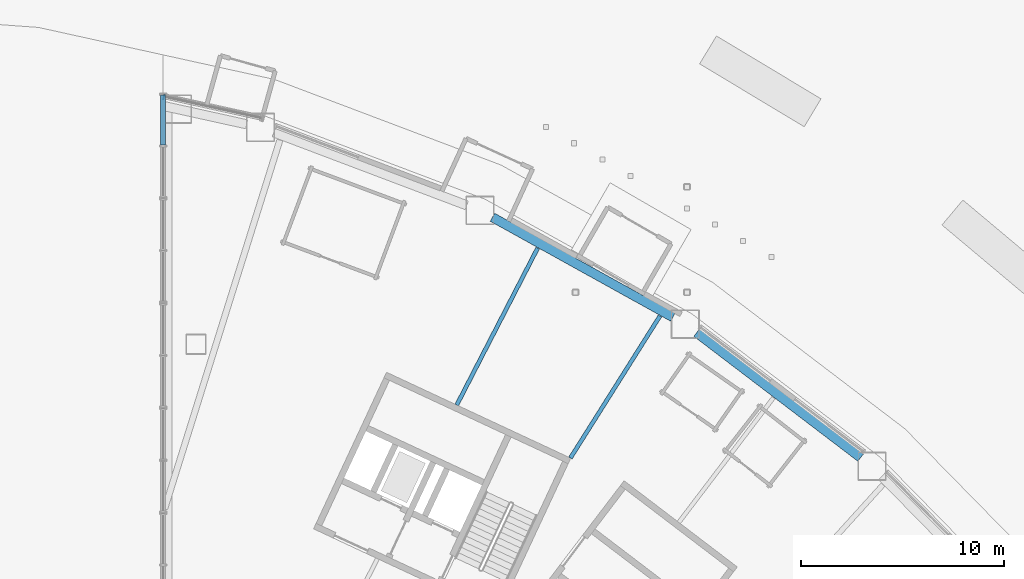
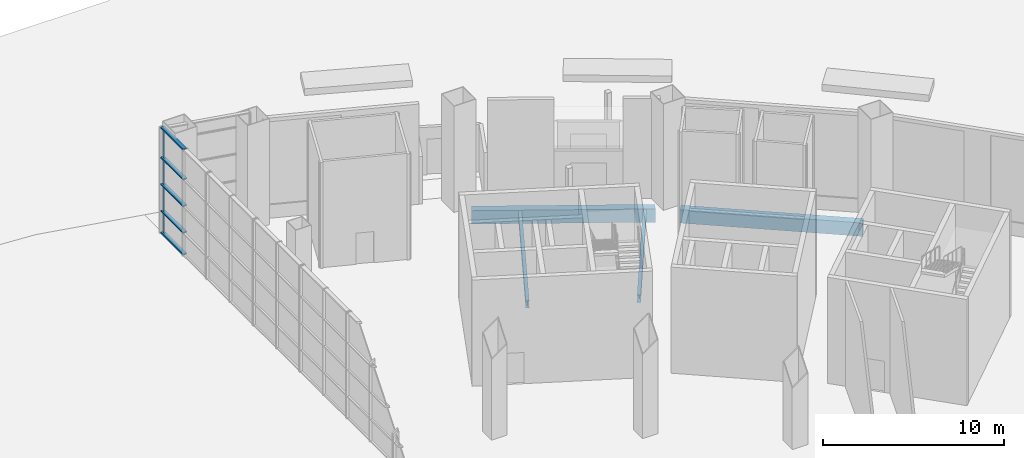
# One storey, part 24 of 45: 6 members, 4 beams, 2 elements without a shape of their own.
"""IFC4 building model written with IfcOpenShell, lengths in metres."""

from ifc_helpers import new_model, si_unit, direction, frame, origin, origin_2d, place, context, subcontext, project, spatial, rectangle, hollow_rectangle, i_section, extrude, material, layer, layer_set, material_profile, profile_set, type_object, element, aggregate, save


model = new_model("IFC4")

# Units and contexts
model_context = context("Model", 3, precision=1e-05, world=origin(), true_north=direction((0.0, 1.0)))
body_context = subcontext(model_context, "Body", "Model", "MODEL_VIEW")
ifc_project = project(units=[si_unit("LENGTHUNIT", "METRE"), si_unit("AREAUNIT", "SQUARE_METRE"), si_unit("VOLUMEUNIT", "CUBIC_METRE"), si_unit("PLANEANGLEUNIT", "RADIAN"), si_unit("MASSUNIT", "GRAM", prefix="KILO")], contexts=[model_context])

# Site, building, storey
site_placement = place(None, origin())
site = spatial("IfcSite", under=ifc_project, at=site_placement, CompositionType="ELEMENT")
building_placement = place(site_placement, origin())
building = spatial("IfcBuilding", under=site, at=building_placement, Name="Tuul Gate Civic Tower", CompositionType="ELEMENT")
storey_placement = place(building_placement, origin())
storey = spatial("IfcBuildingStorey", under=building, at=storey_placement, Name="Level 00", CompositionType="ELEMENT", Elevation=0.0)

# Curtain wall, member
ifc_material_1 = material(Name="Aluminium", Category="aluminium")
ifc_layer_1 = layer(ifc_material_1, 0.199951171875)
ifc_layer_set_1 = layer_set([ifc_layer_1], Name="Aluminium")
curtain_wall_type_1 = type_object("IfcCurtainWallType", Name="Curtain wall CW1", PredefinedType="NOTDEFINED", material=ifc_layer_set_1)
curtain_wall_1_placement = place(storey_placement, origin())
curtain_wall_1 = element("IfcCurtainWall", 1, at=curtain_wall_1_placement, inside=storey, type_object=curtain_wall_type_1, Name="Curtain wall CW1", PredefinedType="NOTDEFINED")
ifc_material_2 = material(Name="Aluminium", Category="aluminium")
ifc_material_profile_1 = material_profile(ifc_material_2, rectangle(XDim=0.300048828125, YDim=0.070068359375, at=origin_2d()), Name="CW1 mullion")
ifc_profile_set_1 = profile_set([ifc_material_profile_1], Name="Aluminium")
member_type_1 = type_object("IfcMemberType", Name="CW1 mullion", PredefinedType="MULLION", material=ifc_profile_set_1)
member_1_placement = place(storey_placement, frame((18.0341796875, 18.10400390625, 0.0), z_axis=(0.0, 0.0, 1.0), x_axis=(-0.215206763662, -0.976568507005, 0.0)))
member_1 = element("IfcMember", 2, at=member_1_placement, type_object=member_type_1, Name="Mullion", PredefinedType="MULLION", context=body_context, shape_type="SweptSolid", body=[
    extrude(rectangle(XDim=0.300048828125, YDim=0.070068359375, at=origin_2d()), origin(), (0.0, 0.0, 1.0), 7.14990234375),
])
aggregate(curtain_wall_1, [member_1])

# Curtain wall, members
ifc_material_3 = material(Name="Stainless steel", Category="steel")
ifc_layer_2 = layer(ifc_material_3, 0.199951171875)
ifc_layer_set_2 = layer_set([ifc_layer_2], Name="Stainless steel")
curtain_wall_type_2 = type_object("IfcCurtainWallType", Name="Curtain wall CW2", PredefinedType="NOTDEFINED", material=ifc_layer_set_2)
curtain_wall_2_placement = place(storey_placement, origin())
curtain_wall_2 = element("IfcCurtainWall", 3, at=curtain_wall_2_placement, inside=storey, type_object=curtain_wall_type_2, Name="Curtain wall CW2", PredefinedType="NOTDEFINED")
ifc_material_4 = material(Name="Stainless steel", Category="steel")
ifc_material_profile_2 = material_profile(ifc_material_4, hollow_rectangle(XDim=0.25, YDim=0.080078125, WallThickness=0.006103515625, at=origin_2d()), Name="CW2 transom")
ifc_profile_set_2 = profile_set([ifc_material_profile_2], Name="Stainless steel")
member_type_2 = type_object("IfcMemberType", Name="CW2 transom", PredefinedType="USERDEFINED", material=ifc_profile_set_2)
member_2_placement = place(storey_placement, frame((18.0, 15.726318359375, 0.0400390625), z_axis=(0.0, 1.0, 0.0), x_axis=(-1.0, 0.0, 0.0)))
member_2 = element("IfcMember", 4, at=member_2_placement, type_object=member_type_2, Name="Transom", ObjectType="TRANSOM", PredefinedType="USERDEFINED", context=body_context, shape_type="SweptSolid", body=[
    extrude(hollow_rectangle(XDim=0.25, YDim=0.080078125, WallThickness=0.006103515625, at=origin_2d()), origin(), (0.0, 0.0, 1.0), 2.458740234375),
])
member_3_placement = place(storey_placement, frame((18.0, 15.726318359375, 1.5), z_axis=(0.0, 1.0, 0.0), x_axis=(-1.0, 0.0, 0.0)))
member_3 = element("IfcMember", 5, at=member_3_placement, type_object=member_type_2, Name="Transom", ObjectType="TRANSOM", PredefinedType="USERDEFINED", context=body_context, shape_type="SweptSolid", body=[
    extrude(hollow_rectangle(XDim=0.25, YDim=0.080078125, WallThickness=0.006103515625, at=origin_2d()), origin(), (0.0, 0.0, 1.0), 2.458740234375),
])
member_4_placement = place(storey_placement, frame((18.0, 15.726318359375, 3.300048828125), z_axis=(0.0, 1.0, 0.0), x_axis=(-1.0, 0.0, 0.0)))
member_4 = element("IfcMember", 6, at=member_4_placement, type_object=member_type_2, Name="Transom", ObjectType="TRANSOM", PredefinedType="USERDEFINED", context=body_context, shape_type="SweptSolid", body=[
    extrude(hollow_rectangle(XDim=0.25, YDim=0.080078125, WallThickness=0.006103515625, at=origin_2d()), origin(), (0.0, 0.0, 1.0), 2.458740234375),
])
member_5_placement = place(storey_placement, frame((18.0, 15.726318359375, 5.10009765625), z_axis=(0.0, 1.0, 0.0), x_axis=(-1.0, 0.0, 0.0)))
member_5 = element("IfcMember", 7, at=member_5_placement, type_object=member_type_2, Name="Transom", ObjectType="TRANSOM", PredefinedType="USERDEFINED", context=body_context, shape_type="SweptSolid", body=[
    extrude(hollow_rectangle(XDim=0.25, YDim=0.080078125, WallThickness=0.006103515625, at=origin_2d()), origin(), (0.0, 0.0, 1.0), 2.458740234375),
])
member_6_placement = place(storey_placement, frame((18.0, 15.726318359375, 7.110107421875), z_axis=(0.0, 1.0, 0.0), x_axis=(-1.0, 0.0, 0.0)))
member_6 = element("IfcMember", 8, at=member_6_placement, type_object=member_type_2, Name="Transom", ObjectType="TRANSOM", PredefinedType="USERDEFINED", context=body_context, shape_type="SweptSolid", body=[
    extrude(hollow_rectangle(XDim=0.25, YDim=0.080078125, WallThickness=0.006103515625, at=origin_2d()), origin(), (0.0, 0.0, 1.0), 2.458740234375),
])
aggregate(curtain_wall_2, [member_2, member_3, member_4, member_5, member_6])

# Beams
ifc_material_5 = material(Name="Steel S355", Category="steel")
ifc_material_profile_3 = material_profile(ifc_material_5, i_section(OverallWidth=0.199951171875, OverallDepth=0.5, WebThickness=0.010009765625, FlangeThickness=0.01611328125, at=origin_2d()), Name="PG500x200x10x16")
ifc_profile_set_3 = profile_set([ifc_material_profile_3], Name="Steel S355")
beam_type_1 = type_object("IfcBeamType", Name="STR-FLOOR BEAM-PG500x200x10x16", PredefinedType="BEAM", material=ifc_profile_set_3)
beam_1_placement = place(storey_placement, frame((38.0400390625, 0.325927734375, -0.64990234375), z_axis=(0.53337261638, 0.845880400586, 0.0), x_axis=(-0.845880400586, 0.53337261638, 0.0)))
element("IfcBeam", 9, at=beam_1_placement, inside=storey, type_object=beam_type_1, Name="Floor beam", PredefinedType="BEAM", context=body_context, shape_type="SweptSolid", body=[
    extrude(i_section(OverallWidth=0.199951171875, OverallDepth=0.5, WebThickness=0.010009765625, FlangeThickness=0.01611328125, at=origin_2d()), origin(), (0.0, 0.0, 1.0), 8.263916015625),
])
beam_2_placement = place(storey_placement, frame((32.447998046875, 2.933349609375, -0.64990234375), z_axis=(0.458265539673, 0.888815332422, 0.0), x_axis=(-0.888815332422, 0.458265539673, 0.0)))
element("IfcBeam", 10, at=beam_2_placement, inside=storey, type_object=beam_type_1, Name="Floor beam", PredefinedType="BEAM", context=body_context, shape_type="SweptSolid", body=[
    extrude(i_section(OverallWidth=0.199951171875, OverallDepth=0.5, WebThickness=0.010009765625, FlangeThickness=0.01611328125, at=origin_2d()), origin(), (0.0, 0.0, 1.0), 8.685302734375),
])
ifc_material_6 = material(Name="Steel S355", Category="steel")
ifc_material_profile_4 = material_profile(ifc_material_6, hollow_rectangle(XDim=0.449951171875, YDim=0.89990234375, WallThickness=0.02490234375, at=origin_2d()), Name="BOX900x450x25")
ifc_profile_set_4 = profile_set([ifc_material_profile_4], Name="Steel S355")
beam_type_2 = type_object("IfcBeamType", Name="STR-SPANDREL BEAM-BOX900x450x25", PredefinedType="BEAM", material=ifc_profile_set_4)
for number, where, z_axis, x_axis, name in (
    (11, (52.321044921875, 0.342041015625, -0.85009765625), (-0.795616160285, 0.605801060987, 0.0), (-0.605801060987, -0.795616160285, 0.0), "Spandrel beam"),
    (12, (43.078857421875, 7.25244140625, -0.85009765625), (-0.874621074476, 0.484807153497, 0.0), (-0.484807153497, -0.874621074476, 0.0), "Spandrel beam"),
):
    element("IfcBeam", number, at=place(storey_placement, frame(where, z_axis=z_axis, x_axis=x_axis)), inside=storey, type_object=beam_type_2, Name=name, PredefinedType="BEAM", context=body_context, shape_type="SweptSolid", body=[
        extrude(hollow_rectangle(XDim=0.449951171875, YDim=0.89990234375, WallThickness=0.02490234375, at=origin_2d()), origin(), (0.0, 0.0, 1.0), 10.146728515625),
    ])

save(model, "model.ifc")
